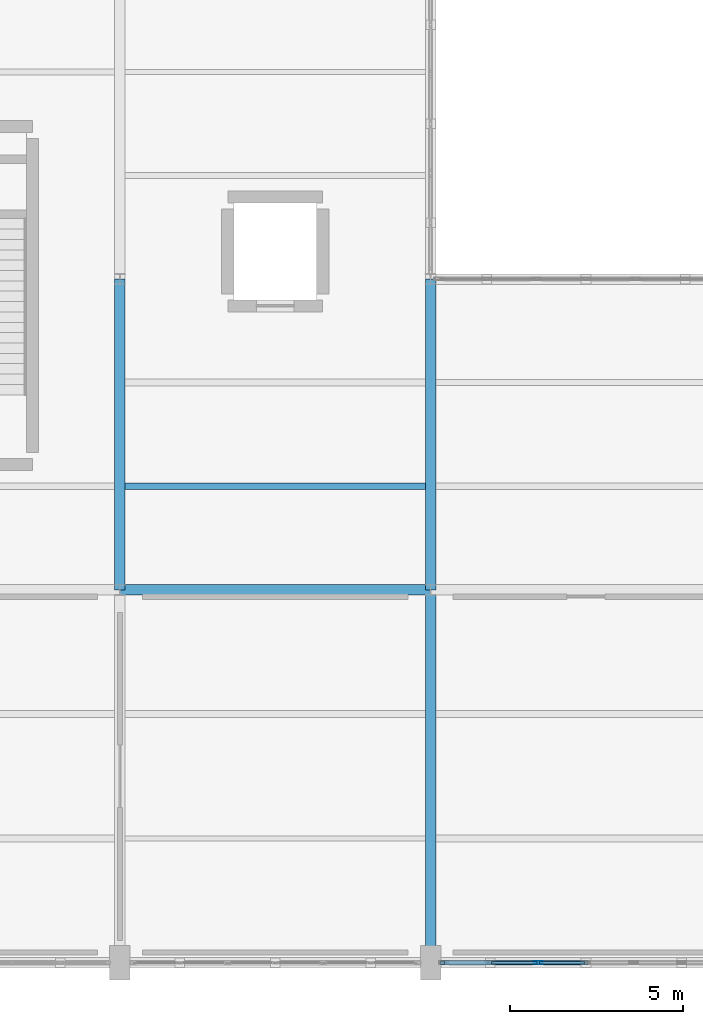
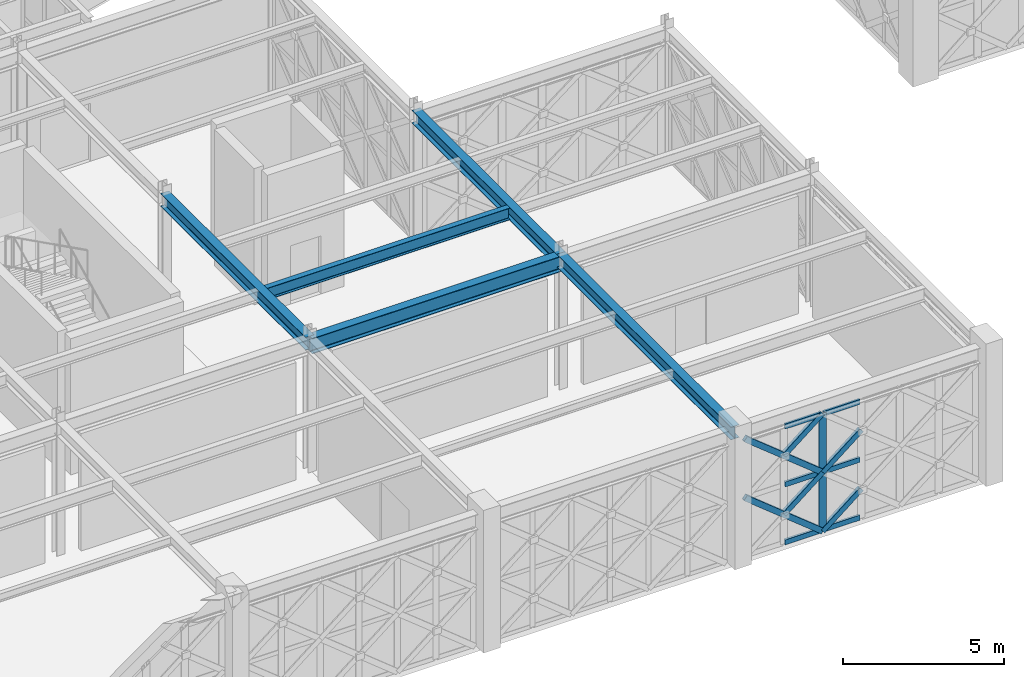
# One storey, part 39 of 155: 13 members, 5 beams, 1 element without a shape of its own.
"""IFC4 building model written with IfcOpenShell, lengths in metres."""

import ifcopenshell
import ifcopenshell.guid

model = None  # the IFC model being written
_history = None  # IfcOwnerHistory: only IFC2X3 demands one
_inside = {}  # id of a spatial element -> (the spatial element, [elements in it])
_under = {}  # id of a project, library or spatial element -> (it, [spatial elements below it])
_declared = {}  # id of a project -> (the project, [libraries it declares])
_typed = {}  # id of a type object -> (the type object, [elements of that type])
_made_of = {}  # id of a material, layer set ... -> (it, [elements and type objects made of it])


def new_model(schema):
    """Start an empty IFC model of exactly this schema.

    Asked for "IFC4X3", IfcOpenShell would pick the latest addendum, in which some entities
    have other attributes; the version numbers below select the first issue.
    IFC2X3 requires an IfcOwnerHistory on every rooted entity: one is made here for all.
    """
    global model, _history
    if schema == "IFC4X3":
        model = ifcopenshell.file(schema_version=(4, 3, 0, 0))
    else:
        model = ifcopenshell.file(schema=schema)
    _inside.clear()
    _under.clear()
    _declared.clear()
    _typed.clear()
    _made_of.clear()
    _history = None
    if model.schema == "IFC2X3":
        org = make("IfcOrganization", Name="unknown")
        user = make(
            "IfcPersonAndOrganization",
            ThePerson=make("IfcPerson", FamilyName="unknown"),
            TheOrganization=org,
        )
        app = make(
            "IfcApplication",
            ApplicationDeveloper=org,
            Version="unknown",
            ApplicationFullName="unknown",
            ApplicationIdentifier="unknown",
        )
        _history = make(
            "IfcOwnerHistory",
            OwningUser=user,
            OwningApplication=app,
            ChangeAction="ADDED",
            CreationDate=0,
        )
    return model


def make(cls, **values):
    """One entity of the class cls with the attributes given. An attribute that is None is left unset."""
    return model.create_entity(
        cls, **{name: value for name, value in values.items() if value is not None}
    )


def rooted(cls, **values):
    """An entity with a GlobalId (a new one), such as an element, a storey or a relation."""
    return make(cls, GlobalId=ifcopenshell.guid.new(), OwnerHistory=_history, **values)


def si_unit(unit_type, name, prefix=None):
    """IfcSIUnit, for example si_unit("LENGTHUNIT", "METRE", prefix="MILLI")."""
    return make("IfcSIUnit", UnitType=unit_type, Prefix=prefix, Name=name)


def assignment(units):
    """IfcUnitAssignment: the units of a project."""
    return None if units is None else make("IfcUnitAssignment", Units=units)


def point(xyz):
    """IfcCartesianPoint."""
    return None if xyz is None else make("IfcCartesianPoint", Coordinates=xyz)


def direction(xyz):
    """IfcDirection."""
    return None if xyz is None else make("IfcDirection", DirectionRatios=xyz)


def frame(location, z_axis=None, x_axis=None):
    """IfcAxis2Placement3D, a coordinate frame: its origin and axes. An axis left out is left unset."""
    return make(
        "IfcAxis2Placement3D",
        Location=point(location),
        Axis=direction(z_axis),
        RefDirection=direction(x_axis),
    )


def frame_2d(location, x_axis=None):
    """IfcAxis2Placement2D, a coordinate frame in the plane: its origin and x axis."""
    return make(
        "IfcAxis2Placement2D", Location=point(location), RefDirection=direction(x_axis)
    )


def origin():
    """The frame at (0, 0, 0) with its axes left unset."""
    return frame((0.0, 0.0, 0.0))


def origin_2d():
    """The frame at (0, 0) in the plane with its x axis left unset."""
    return frame_2d((0.0, 0.0))


def place(relative_to, where):
    """IfcLocalPlacement: puts the frame where relative to a parent placement (None: the world)."""
    return make(
        "IfcLocalPlacement", PlacementRelTo=relative_to, RelativePlacement=where
    )


def context(
    kind, dimensions, precision=None, world=None, true_north=None, identifier=None
):
    """IfcGeometricRepresentationContext, for example the 3D "Model" context."""
    return make(
        "IfcGeometricRepresentationContext",
        ContextIdentifier=identifier,
        ContextType=kind,
        CoordinateSpaceDimension=dimensions,
        Precision=precision,
        WorldCoordinateSystem=world,
        TrueNorth=true_north,
    )


def subcontext(parent, identifier, kind, view, scale=None):
    """IfcGeometricRepresentationSubContext, for example "Body" below "Model"."""
    return make(
        "IfcGeometricRepresentationSubContext",
        ContextIdentifier=identifier,
        ContextType=kind,
        ParentContext=parent,
        TargetScale=scale,
        TargetView=view,
    )


def project(units=None, contexts=None):
    """IfcProject with its units and contexts."""
    return rooted(
        "IfcProject",
        Name="project",
        RepresentationContexts=contexts,
        UnitsInContext=assignment(units),
    )


def spatial(cls, under=None, at=None, **own):
    """A site, building, storey or space (cls), placed at a placement, below another one or the project."""
    s = rooted(cls, ObjectPlacement=at, **own)
    if under is not None:
        _under.setdefault(under.id(), (under, []))[1].append(s)
    return s


def profile(cls, at=None, kind="AREA", **sizes):
    """A parametric profile (cls). Its sizes go by their IFC names, for example OverallWidth=200.0."""
    return make(cls, ProfileType=kind, Position=at, **sizes)


def hollow_rectangle(**sizes):
    """IfcRectangleHollowProfileDef."""
    return profile("IfcRectangleHollowProfileDef", **sizes)


def i_section(**sizes):
    """IfcIShapeProfileDef."""
    return profile("IfcIShapeProfileDef", **sizes)


def extrude(swept, where, along, depth):
    """IfcExtrudedAreaSolid: the profile swept, set in the frame where, extruded along a direction by depth."""
    return make(
        "IfcExtrudedAreaSolid",
        SweptArea=swept,
        Position=where,
        ExtrudedDirection=direction(along),
        Depth=depth,
    )


def shape(context_of_items, identifier, shape_type, items):
    """IfcShapeRepresentation: the items that make up one representation, for example the "Body"."""
    return make(
        "IfcShapeRepresentation",
        ContextOfItems=context_of_items,
        RepresentationIdentifier=identifier,
        RepresentationType=shape_type,
        Items=items,
    )


def material(Name=None, Category=None):
    """IfcMaterial."""
    return make("IfcMaterial", Name=Name, Category=Category)


def material_profile(
    of_material, cross_section, Name=None, Category=None, Priority=None
):
    """IfcMaterialProfile: a cross section and its material."""
    return make(
        "IfcMaterialProfile",
        Name=Name,
        Material=of_material,
        Profile=cross_section,
        Priority=Priority,
        Category=Category,
    )


def profile_set(profiles, Name=None, composite=None):
    """IfcMaterialProfileSet."""
    return make(
        "IfcMaterialProfileSet",
        Name=Name,
        MaterialProfiles=profiles,
        CompositeProfile=composite,
    )


def made_of(thing, what):
    """Note that an element or type object is made of a material, layer set ...; save() writes the relation."""
    if what is not None:
        _made_of.setdefault(what.id(), (what, []))[1].append(thing)
    return thing


def type_object(cls, material=None, **own):
    """A type object (cls), such as IfcWallType, which elements share."""
    return made_of(rooted(cls, **own), material)


def element(
    cls,
    number,
    at=None,
    inside=None,
    cuts=None,
    type_object=None,
    material=None,
    context=None,
    identifier="Body",
    shape_type=None,
    held_by="IfcProductDefinitionShape",
    body=None,
    shapes=None,
    **own,
):
    """One element of the class cls, such as IfcWall. Its Tag is "e" and its number.

    at: its placement. inside: the storey or other place that contains it. cuts: it is an
    opening in that element (IfcRelVoidsElement). A single representation is given by context,
    identifier, shape_type and body (its items); several are given by shapes. held_by: the class
    of the entity that holds the representations. save() writes the other relations.
    """
    e = rooted(cls, Tag="e%d" % number, ObjectPlacement=at, **own)
    if body is not None:
        shapes = [shape(context, identifier, shape_type, body)]
    if shapes is not None:
        e.Representation = make(held_by, Representations=shapes)
    if inside is not None:
        _inside.setdefault(inside.id(), (inside, []))[1].append(e)
    if cuts is not None:
        rooted(
            "IfcRelVoidsElement", RelatingBuildingElement=cuts, RelatedOpeningElement=e
        )
    if type_object is not None:
        _typed.setdefault(type_object.id(), (type_object, []))[1].append(e)
    return made_of(e, material)


def aggregate(whole, parts):
    """IfcRelAggregates: a whole, such as a stair, and the parts it consists of."""
    return rooted("IfcRelAggregates", RelatingObject=whole, RelatedObjects=parts)


def save(model, path):
    """Write the relations noted so far, then the file.

    IfcRelAggregates (storeys below a building ...), IfcRelContainedInSpatialStructure (elements
    in a storey), IfcRelDefinesByType, IfcRelAssociatesMaterial and IfcRelDeclares: one each for
    every whole, place, type object, material and project.
    """
    for whole, parts in _under.values():
        aggregate(whole, parts)
    for where, things in _inside.values():
        rooted(
            "IfcRelContainedInSpatialStructure",
            RelatedElements=things,
            RelatingStructure=where,
        )
    for kind, things in _typed.values():
        rooted("IfcRelDefinesByType", RelatedObjects=things, RelatingType=kind)
    for what, things in _made_of.values():
        rooted("IfcRelAssociatesMaterial", RelatedObjects=things, RelatingMaterial=what)
    for by, libraries in _declared.values():
        rooted("IfcRelDeclares", RelatingContext=by, RelatedDefinitions=libraries)
    model.write(path)


model = new_model("IFC4")

# Units and contexts
model_context = context("Model", 3, precision=1e-05, world=origin(), true_north=direction((0.0, 1.0)))
body_context = subcontext(model_context, "Body", "Model", "MODEL_VIEW")
ifc_project = project(units=[si_unit("LENGTHUNIT", "METRE"), si_unit("AREAUNIT", "SQUARE_METRE"), si_unit("VOLUMEUNIT", "CUBIC_METRE"), si_unit("PLANEANGLEUNIT", "RADIAN"), si_unit("MASSUNIT", "GRAM", prefix="KILO")], contexts=[model_context])

# Site, building, storey
site_placement = place(None, origin())
site = spatial("IfcSite", under=ifc_project, at=site_placement, CompositionType="ELEMENT")
building_placement = place(site_placement, origin())
building = spatial("IfcBuilding", under=site, at=building_placement, Name="Haizhuo Lancet Aquarium", CompositionType="ELEMENT")
storey_placement = place(building_placement, frame((0.0, 0.0, 10.800048828125)))
storey = spatial("IfcBuildingStorey", under=building, at=storey_placement, Name="L02", CompositionType="ELEMENT", Elevation=10.800048828125)

# Beams
ifc_material_1 = material(Name="Steel S355", Category="steel")
ifc_material_profile_1 = material_profile(ifc_material_1, i_section(OverallWidth=0.300048828125, OverallDepth=0.488037109375, WebThickness=0.010986328125, FlangeThickness=0.01806640625, FilletRadius=0.02392578125, at=origin_2d()), Name="HM 488x300x11x18")
ifc_profile_set_1 = profile_set([ifc_material_profile_1], Name="Steel S355")
beam_type_1 = type_object("IfcBeamType", Name="BM-ST-HM488", PredefinedType="BEAM", material=ifc_profile_set_1)
beam_1_placement = place(storey_placement, frame((0.0, -45.0, 4.805908203125), z_axis=(0.0, 1.0, 0.0), x_axis=(-1.0, 0.0, 0.0)))
element("IfcBeam", 1, at=beam_1_placement, inside=storey, type_object=beam_type_1, Name="L02 V4 primary girder BM-L02-V4-016", PredefinedType="BEAM", context=body_context, shape_type="SweptSolid", body=[
    extrude(i_section(OverallWidth=0.300048828125, OverallDepth=0.488037109375, WebThickness=0.010986328125, FlangeThickness=0.01806640625, FilletRadius=0.02392578125, at=origin_2d()), origin(), (0.0, 0.0, 1.0), 9.0),
])
beam_2_placement = place(storey_placement, frame((9.0, -55.800048828125, 4.805908203125), z_axis=(0.0, 1.0, 0.0), x_axis=(-1.0, 0.0, 0.0)))
element("IfcBeam", 2, at=beam_2_placement, inside=storey, type_object=beam_type_1, Name="L02 V4 primary girder BM-L02-V4-020", PredefinedType="BEAM", context=body_context, shape_type="SweptSolid", body=[
    extrude(i_section(OverallWidth=0.300048828125, OverallDepth=0.488037109375, WebThickness=0.010986328125, FlangeThickness=0.01806640625, FilletRadius=0.02392578125, at=origin_2d()), origin(), (0.0, 0.0, 1.0), 10.800048828125),
])
beam_3_placement = place(storey_placement, frame((9.0, -45.0, 4.805908203125), z_axis=(0.0, 1.0, 0.0), x_axis=(-1.0, 0.0, 0.0)))
element("IfcBeam", 3, at=beam_3_placement, inside=storey, type_object=beam_type_1, Name="L02 V4 primary girder BM-L02-V4-022", PredefinedType="BEAM", context=body_context, shape_type="SweptSolid", body=[
    extrude(i_section(OverallWidth=0.300048828125, OverallDepth=0.488037109375, WebThickness=0.010986328125, FlangeThickness=0.01806640625, FilletRadius=0.02392578125, at=origin_2d()), origin(), (0.0, 0.0, 1.0), 9.0),
])
ifc_material_profile_2 = material_profile(ifc_material_1, i_section(OverallWidth=0.300048828125, OverallDepth=0.587890625, WebThickness=0.011962890625, FlangeThickness=0.02001953125, FilletRadius=0.02587890625, at=origin_2d()), Name="HM 588x300x12x20")
ifc_profile_set_2 = profile_set([ifc_material_profile_2], Name="Steel S355")
beam_type_2 = type_object("IfcBeamType", Name="BM-ST-HM588", PredefinedType="BEAM", material=ifc_profile_set_2)
beam_4_placement = place(storey_placement, frame((0.0, -45.0, 4.755859375), z_axis=(1.0, 0.0, 0.0), x_axis=(0.0, 1.0, 0.0)))
element("IfcBeam", 4, at=beam_4_placement, inside=storey, type_object=beam_type_2, Name="L02 V4 primary girder BM-L02-V4-017", PredefinedType="BEAM", context=body_context, shape_type="SweptSolid", body=[
    extrude(i_section(OverallWidth=0.300048828125, OverallDepth=0.587890625, WebThickness=0.011962890625, FlangeThickness=0.02001953125, FilletRadius=0.02587890625, at=origin_2d()), origin(), (0.0, 0.0, 1.0), 9.0),
])

# Curtain wall, members
ifc_material_2 = material(Name="Aluminium 6063-T6", Category="aluminium")
curtain_wall_type = type_object("IfcCurtainWallType", Name="CWO-8310x4460", PredefinedType="NOTDEFINED", material=ifc_material_2)
curtain_wall_placement = place(storey_placement, origin())
curtain_wall = element("IfcCurtainWall", 5, at=curtain_wall_placement, inside=storey, type_object=curtain_wall_type, Name="L02 curtain wall CW-V4-L02-108", PredefinedType="NOTDEFINED")
ifc_material_profile_3 = material_profile(ifc_material_2, hollow_rectangle(XDim=0.080078125, YDim=0.260009765625, WallThickness=0.0048828125, at=origin_2d()), Name="ALU-M 80x260x5")
ifc_profile_set_3 = profile_set([ifc_material_profile_3], Name="Aluminium 6063-T6")
member_type_1 = type_object("IfcMemberType", Name="CW-MUL-3", PredefinedType="MULLION", material=ifc_profile_set_3)
member_1_placement = place(storey_placement, frame((12.114990234375, -55.800048828125, 0.0), z_axis=(0.0, 0.0, 1.0), x_axis=(0.0, -1.0, 0.0)))
member_1 = element("IfcMember", 6, at=member_1_placement, type_object=member_type_1, Name="CWO-83x44 mullion 5", PredefinedType="MULLION", context=body_context, shape_type="SweptSolid", body=[
    extrude(hollow_rectangle(XDim=0.080078125, YDim=0.260009765625, WallThickness=0.0048828125, at=origin_2d()), origin(), (0.0, 0.0, 1.0), 4.4619140625),
])
ifc_material_profile_4 = material_profile(ifc_material_2, hollow_rectangle(XDim=0.080078125, YDim=0.18994140625, WallThickness=0.0048828125, at=origin_2d()), Name="ALU-T 80x190x5")
ifc_profile_set_4 = profile_set([ifc_material_profile_4], Name="Aluminium 6063-T6")
member_type_2 = type_object("IfcMemberType", Name="CW-TRN-3", PredefinedType="NOTDEFINED", material=ifc_profile_set_4)
member_2_placement = place(storey_placement, frame((13.4599609375, -55.800048828125, 0.0400390625), z_axis=(-1.0, 0.0, 0.0), x_axis=(0.0, -1.0, 0.0)))
member_2 = element("IfcMember", 7, at=member_2_placement, type_object=member_type_2, Name="CWO-83x44 transom 4.1", ObjectType="TRANSOM", PredefinedType="USERDEFINED", context=body_context, shape_type="SweptSolid", body=[
    extrude(hollow_rectangle(XDim=0.080078125, YDim=0.18994140625, WallThickness=0.0048828125, at=origin_2d()), origin(), (0.0, 0.0, 1.0), 1.304931640625),
])
member_3_placement = place(storey_placement, frame((13.4599609375, -55.800048828125, 2.23095703125), z_axis=(-1.0, 0.0, 0.0), x_axis=(0.0, -1.0, 0.0)))
member_3 = element("IfcMember", 8, at=member_3_placement, type_object=member_type_2, Name="CWO-83x44 transom 4.2", ObjectType="TRANSOM", PredefinedType="USERDEFINED", context=body_context, shape_type="SweptSolid", body=[
    extrude(hollow_rectangle(XDim=0.080078125, YDim=0.18994140625, WallThickness=0.0048828125, at=origin_2d()), origin(), (0.0, 0.0, 1.0), 1.304931640625),
])
member_4_placement = place(storey_placement, frame((13.4599609375, -55.800048828125, 4.421875), z_axis=(-1.0, 0.0, 0.0), x_axis=(0.0, -1.0, 0.0)))
member_4 = element("IfcMember", 9, at=member_4_placement, type_object=member_type_2, Name="CWO-83x44 transom 4.3", ObjectType="TRANSOM", PredefinedType="USERDEFINED", context=body_context, shape_type="SweptSolid", body=[
    extrude(hollow_rectangle(XDim=0.080078125, YDim=0.18994140625, WallThickness=0.0048828125, at=origin_2d()), origin(), (0.0, 0.0, 1.0), 1.304931640625),
])
member_5_placement = place(storey_placement, frame((12.074951171875, -55.800048828125, 0.0400390625), z_axis=(-1.0, 0.0, 0.0), x_axis=(0.0, -1.0, 0.0)))
member_5 = element("IfcMember", 10, at=member_5_placement, type_object=member_type_2, Name="CWO-83x44 transom 5.1", ObjectType="TRANSOM", PredefinedType="USERDEFINED", context=body_context, shape_type="SweptSolid", body=[
    extrude(hollow_rectangle(XDim=0.080078125, YDim=0.18994140625, WallThickness=0.0048828125, at=origin_2d()), origin(), (0.0, 0.0, 1.0), 1.304931640625),
])
member_6_placement = place(storey_placement, frame((12.074951171875, -55.800048828125, 2.23095703125), z_axis=(-1.0, 0.0, 0.0), x_axis=(0.0, -1.0, 0.0)))
member_6 = element("IfcMember", 11, at=member_6_placement, type_object=member_type_2, Name="CWO-83x44 transom 5.2", ObjectType="TRANSOM", PredefinedType="USERDEFINED", context=body_context, shape_type="SweptSolid", body=[
    extrude(hollow_rectangle(XDim=0.080078125, YDim=0.18994140625, WallThickness=0.0048828125, at=origin_2d()), origin(), (0.0, 0.0, 1.0), 1.304931640625),
])
member_7_placement = place(storey_placement, frame((12.074951171875, -55.800048828125, 4.421875), z_axis=(-1.0, 0.0, 0.0), x_axis=(0.0, -1.0, 0.0)))
member_7 = element("IfcMember", 12, at=member_7_placement, type_object=member_type_2, Name="CWO-83x44 transom 5.3", ObjectType="TRANSOM", PredefinedType="USERDEFINED", context=body_context, shape_type="SweptSolid", body=[
    extrude(hollow_rectangle(XDim=0.080078125, YDim=0.18994140625, WallThickness=0.0048828125, at=origin_2d()), origin(), (0.0, 0.0, 1.0), 1.304931640625),
])
aggregate(curtain_wall, [member_1, member_2, member_3, member_4, member_5, member_6, member_7])

# Beam
ifc_material_profile_5 = material_profile(ifc_material_1, i_section(OverallWidth=0.199951171875, OverallDepth=0.449951171875, WebThickness=0.009033203125, FlangeThickness=0.013916015625, FilletRadius=0.01806640625, at=origin_2d()), Name="HN 450x200x9x14")
ifc_profile_set_5 = profile_set([ifc_material_profile_5], Name="Steel S355")
beam_type_3 = type_object("IfcBeamType", Name="JST-ST-HN450", PredefinedType="JOIST", material=ifc_profile_set_5)
beam_5_placement = place(storey_placement, frame((0.14990234375, -42.0, 4.824951171875), z_axis=(1.0, 0.0, 0.0), x_axis=(0.0, 1.0, 0.0)))
element("IfcBeam", 13, at=beam_5_placement, inside=storey, type_object=beam_type_3, Name="L02 V4 secondary floor joist 13", PredefinedType="JOIST", context=body_context, shape_type="SweptSolid", body=[
    extrude(i_section(OverallWidth=0.199951171875, OverallDepth=0.449951171875, WebThickness=0.009033203125, FlangeThickness=0.013916015625, FilletRadius=0.01806640625, at=origin_2d()), origin(), (0.0, 0.0, 1.0), 8.7001953125),
])

# Members
ifc_material_profile_6 = material_profile(ifc_material_1, hollow_rectangle(XDim=0.1201171875, YDim=0.199951171875, WallThickness=0.008056640625, at=origin_2d()), Name="RHS 120x200x8")
ifc_profile_set_6 = profile_set([ifc_material_profile_6], Name="Steel S355")
member_type_3 = type_object("IfcMemberType", Name="MEM-LB-RHS120x200", PredefinedType="BRACE", material=ifc_profile_set_6)
member_8_placement = place(storey_placement, frame((12.114990234375, -55.800048828125, 0.0), z_axis=(0.77868125898, 0.0, 0.62741971352), x_axis=(0.0, 1.0, 0.0)))
element("IfcMember", 14, at=member_8_placement, inside=storey, type_object=member_type_3, Name="Gothic lancet split diagonal brace CW-V4-L02-108 3B1", PredefinedType="BRACE", context=body_context, shape_type="SweptSolid", body=[
    extrude(hollow_rectangle(XDim=0.1201171875, YDim=0.199951171875, WallThickness=0.008056640625, at=origin_2d()), origin(), (0.0, 0.0, 1.0), 1.778564453125),
])
member_9_placement = place(storey_placement, frame((12.114990234375, -55.800048828125, 2.23095703125), z_axis=(0.778949520963, 0.0, 0.627086631807), x_axis=(0.0, 1.0, 0.0)))
element("IfcMember", 15, at=member_9_placement, inside=storey, type_object=member_type_3, Name="Gothic lancet split diagonal brace CW-V4-L02-108 4B1", PredefinedType="BRACE", context=body_context, shape_type="SweptSolid", body=[
    extrude(hollow_rectangle(XDim=0.1201171875, YDim=0.199951171875, WallThickness=0.008056640625, at=origin_2d()), origin(), (0.0, 0.0, 1.0), 1.778076171875),
])
member_10_placement = place(storey_placement, frame((12.114990234375, -55.800048828125, 0.0), z_axis=(-0.778815384678, 0.0, 0.627253215687), x_axis=(0.0, -1.0, 0.0)))
element("IfcMember", 16, at=member_10_placement, inside=storey, type_object=member_type_3, Name="Gothic lancet continuous diagonal brace CW-V4-L02-108 5A", PredefinedType="BRACE", context=body_context, shape_type="SweptSolid", body=[
    extrude(hollow_rectangle(XDim=0.1201171875, YDim=0.199951171875, WallThickness=0.008056640625, at=origin_2d()), origin(), (0.0, 0.0, 1.0), 3.556640625),
])
member_11_placement = place(storey_placement, frame((10.72998046875, -55.800048828125, 1.115966796875), z_axis=(0.778949520963, 0.0, 0.627086631807), x_axis=(0.0, 1.0, 0.0)))
element("IfcMember", 17, at=member_11_placement, inside=storey, type_object=member_type_3, Name="Gothic lancet split diagonal brace CW-V4-L02-108 5B2", PredefinedType="BRACE", context=body_context, shape_type="SweptSolid", body=[
    extrude(hollow_rectangle(XDim=0.1201171875, YDim=0.199951171875, WallThickness=0.008056640625, at=origin_2d()), origin(), (0.0, 0.0, 1.0), 1.778076171875),
])
member_12_placement = place(storey_placement, frame((12.114990234375, -55.800048828125, 2.23095703125), z_axis=(-0.778815384678, 0.0, 0.627253215687), x_axis=(0.0, -1.0, 0.0)))
element("IfcMember", 18, at=member_12_placement, inside=storey, type_object=member_type_3, Name="Gothic lancet continuous diagonal brace CW-V4-L02-108 6A", PredefinedType="BRACE", context=body_context, shape_type="SweptSolid", body=[
    extrude(hollow_rectangle(XDim=0.1201171875, YDim=0.199951171875, WallThickness=0.008056640625, at=origin_2d()), origin(), (0.0, 0.0, 1.0), 3.556640625),
])
member_13_placement = place(storey_placement, frame((10.72998046875, -55.800048828125, 3.345947265625), z_axis=(0.77868125898, 0.0, 0.62741971352), x_axis=(0.0, 1.0, 0.0)))
element("IfcMember", 19, at=member_13_placement, inside=storey, type_object=member_type_3, Name="Gothic lancet split diagonal brace CW-V4-L02-108 6B2", PredefinedType="BRACE", context=body_context, shape_type="SweptSolid", body=[
    extrude(hollow_rectangle(XDim=0.1201171875, YDim=0.199951171875, WallThickness=0.008056640625, at=origin_2d()), origin(), (0.0, 0.0, 1.0), 1.778564453125),
])

save(model, "model.ifc")
